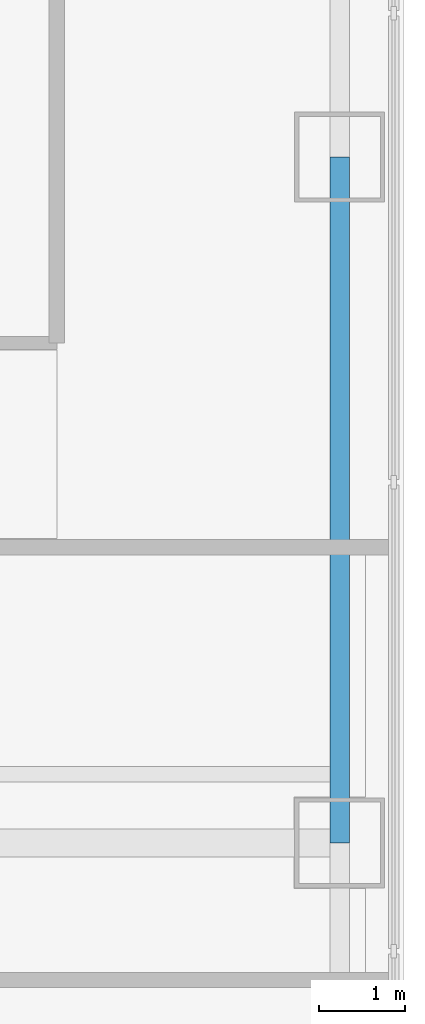
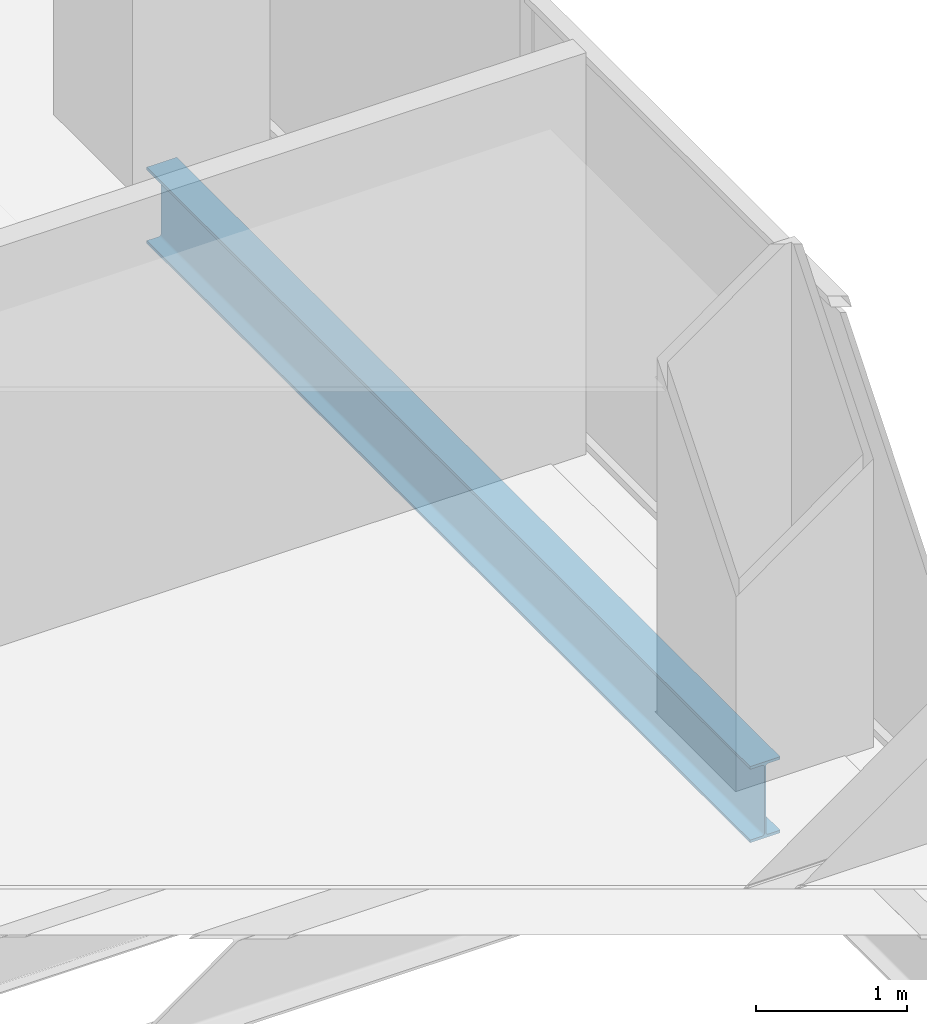
# One storey, part 7 of 16: 1 beam.
"""IFC4 building model written with IfcOpenShell, lengths in metres."""

from ifc_helpers import new_model, si_unit, direction, frame, origin, origin_2d, place, context, subcontext, project, spatial, i_section, extrude, material, material_profile, profile_set, type_object, element, save


model = new_model("IFC4")

# Units and contexts
model_context = context("Model", 3, precision=1e-05, world=origin(), true_north=direction((0.0, 1.0)))
body_context = subcontext(model_context, "Body", "Model", "MODEL_VIEW")
ifc_project = project(units=[si_unit("LENGTHUNIT", "METRE"), si_unit("AREAUNIT", "SQUARE_METRE"), si_unit("VOLUMEUNIT", "CUBIC_METRE"), si_unit("PLANEANGLEUNIT", "RADIAN"), si_unit("MASSUNIT", "GRAM", prefix="KILO")], contexts=[model_context])

# Site, building, storey
site_placement = place(None, origin())
site = spatial("IfcSite", under=ifc_project, at=site_placement, CompositionType="ELEMENT")
building_placement = place(site_placement, origin())
building = spatial("IfcBuilding", under=site, at=building_placement, Name="Trevonay Congress Spire", CompositionType="ELEMENT")
storey_placement = place(building_placement, frame((0.0, 0.0, 72.5)))
storey = spatial("IfcBuildingStorey", under=building, at=storey_placement, Name="L18", CompositionType="ELEMENT", Elevation=72.5)

# Beam
ifc_material = material(Name="Steel ASTM A572 Grade 50", Category="steel")
ifc_material_profile = material_profile(ifc_material, i_section(OverallWidth=0.22998046875, OverallDepth=0.616943359375, WebThickness=0.01318359375, FlangeThickness=0.022216796875, FilletRadius=0.01611328125, at=origin_2d()), Name="W610x140")
ifc_profile_set = profile_set([ifc_material_profile], Name="Steel ASTM A572 Grade 50")
beam_type = type_object("IfcBeamType", Name="BM-RING-W610X140", PredefinedType="BEAM", material=ifc_profile_set)
beam_placement = place(storey_placement, frame((23.25, 4.0, -0.55859375), z_axis=(0.0, 1.0, 0.0), x_axis=(-1.0, 0.0, 0.0)))
element("IfcBeam", 1, at=beam_placement, inside=storey, type_object=beam_type, Name="L18 structural beam BM-L18-PE4", PredefinedType="BEAM", context=body_context, shape_type="SweptSolid", body=[
    extrude(i_section(OverallWidth=0.22998046875, OverallDepth=0.616943359375, WebThickness=0.01318359375, FlangeThickness=0.022216796875, FilletRadius=0.01611328125, at=origin_2d()), origin(), (0.0, 0.0, 1.0), 8.0),
])

save(model, "model.ifc")
